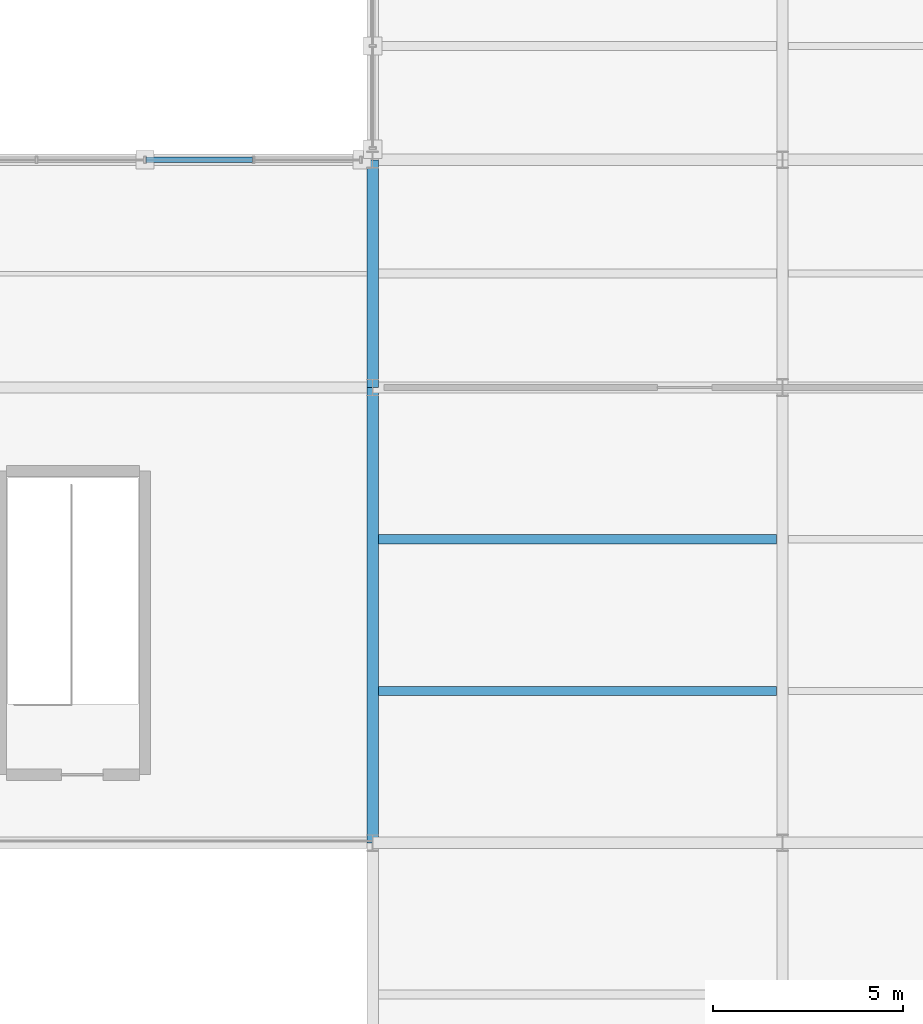
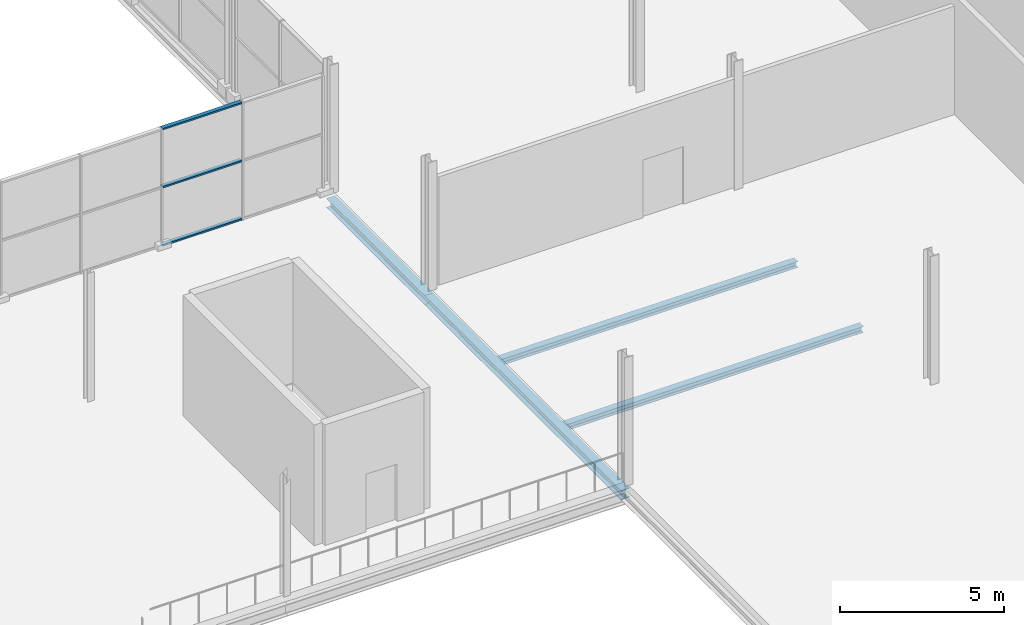
# One storey, part 110 of 159: 4 beams, 3 members, 1 element without a shape of its own.
"""IFC4 building model written with IfcOpenShell, lengths in metres."""

from ifc_helpers import new_model, si_unit, direction, frame, origin, origin_2d, place, context, subcontext, project, spatial, hollow_rectangle, i_section, extrude, material, material_profile, profile_set, type_object, element, aggregate, save


model = new_model("IFC4")

# Units and contexts
model_context = context("Model", 3, precision=1e-05, world=origin(), true_north=direction((0.0, 1.0)))
body_context = subcontext(model_context, "Body", "Model", "MODEL_VIEW")
ifc_project = project(units=[si_unit("LENGTHUNIT", "METRE"), si_unit("AREAUNIT", "SQUARE_METRE"), si_unit("VOLUMEUNIT", "CUBIC_METRE"), si_unit("PLANEANGLEUNIT", "RADIAN"), si_unit("MASSUNIT", "GRAM", prefix="KILO")], contexts=[model_context])

# Site, building, storey
site_placement = place(None, origin())
site = spatial("IfcSite", under=ifc_project, at=site_placement, CompositionType="ELEMENT")
building_placement = place(site_placement, origin())
building = spatial("IfcBuilding", under=site, at=building_placement, Name="Merenkruunu Market Hall", CompositionType="ELEMENT")
storey_placement = place(building_placement, frame((0.0, 0.0, 5.39990234375)))
storey = spatial("IfcBuildingStorey", under=building, at=storey_placement, Name="L01", CompositionType="ELEMENT", Elevation=5.39990234375)

# Curtain wall, members
ifc_material_1 = material(Name="Powder-coated aluminium", Category="aluminium")
curtain_wall_type = type_object("IfcCurtainWallType", Name="Glazed Curtain Wall CW05", PredefinedType="USERDEFINED", material=ifc_material_1)
curtain_wall_placement = place(storey_placement, origin())
curtain_wall = element("IfcCurtainWall", 1, at=curtain_wall_placement, inside=storey, type_object=curtain_wall_type, Name="CW-L01-CWM02-200", ObjectType="GLAZED_FACADE", PredefinedType="USERDEFINED")
ifc_material_profile_1 = material_profile(ifc_material_1, hollow_rectangle(XDim=0.06005859375, YDim=0.139892578125, WallThickness=0.00390625, at=origin_2d()), Name="ALU 60x140x4")
ifc_profile_set_1 = profile_set([ifc_material_profile_1], Name="Powder-coated aluminium")
member_type = type_object("IfcMemberType", Name="Curtain Wall Transom CWT02", PredefinedType="USERDEFINED", material=ifc_profile_set_1)
member_1_placement = place(storey_placement, frame((142.830078125, 45.60009765625, 0.030029296875), z_axis=(1.0, 0.0, 0.0), x_axis=(0.0, 0.0, 1.0)))
member_1 = element("IfcMember", 2, at=member_1_placement, type_object=member_type, Name="CW05 transom 3.1", ObjectType="TRANSOM", PredefinedType="USERDEFINED", context=body_context, shape_type="SweptSolid", body=[
    extrude(hollow_rectangle(XDim=0.06005859375, YDim=0.139892578125, WallThickness=0.00390625, at=origin_2d()), origin(), (0.0, 0.0, 1.0), 2.7998046875),
])
member_2_placement = place(storey_placement, frame((142.830078125, 45.60009765625, 2.2001953125), z_axis=(1.0, 0.0, 0.0), x_axis=(0.0, 0.0, 1.0)))
member_2 = element("IfcMember", 3, at=member_2_placement, type_object=member_type, Name="CW05 transom 3.2", ObjectType="TRANSOM", PredefinedType="USERDEFINED", context=body_context, shape_type="SweptSolid", body=[
    extrude(hollow_rectangle(XDim=0.06005859375, YDim=0.139892578125, WallThickness=0.00390625, at=origin_2d()), origin(), (0.0, 0.0, 1.0), 2.7998046875),
])
member_3_placement = place(storey_placement, frame((142.830078125, 45.60009765625, 4.3701171875), z_axis=(1.0, 0.0, 0.0), x_axis=(0.0, 0.0, 1.0)))
member_3 = element("IfcMember", 4, at=member_3_placement, type_object=member_type, Name="CW05 transom 3.3", ObjectType="TRANSOM", PredefinedType="USERDEFINED", context=body_context, shape_type="SweptSolid", body=[
    extrude(hollow_rectangle(XDim=0.06005859375, YDim=0.139892578125, WallThickness=0.00390625, at=origin_2d()), origin(), (0.0, 0.0, 1.0), 2.7998046875),
])
aggregate(curtain_wall, [member_1, member_2, member_3])

# Beams
ifc_material_2 = material(Name="Steel S355J2", Category="steel")
ifc_material_profile_2 = material_profile(ifc_material_2, i_section(OverallWidth=0.300048828125, OverallDepth=0.35009765625, WebThickness=0.010009765625, FlangeThickness=0.017578125, FilletRadius=0.027099609375, at=origin_2d()), Name="HEA 360")
ifc_profile_set_2 = profile_set([ifc_material_profile_2], Name="Steel S355J2")
beam_type_1 = type_object("IfcBeamType", Name="Primary Floor Girder B08", PredefinedType="BEAM", material=ifc_profile_set_2)
beam_1_placement = place(storey_placement, frame((148.800048828125, 27.60009765625, -0.454833984375), z_axis=(0.0, 1.0, 0.0), x_axis=(-1.0, 0.0, 0.0)))
element("IfcBeam", 5, at=beam_1_placement, inside=storey, type_object=beam_type_1, Name="BM-L01-B08-0618", PredefinedType="BEAM", context=body_context, shape_type="SweptSolid", body=[
    extrude(i_section(OverallWidth=0.300048828125, OverallDepth=0.35009765625, WebThickness=0.010009765625, FlangeThickness=0.017578125, FilletRadius=0.027099609375, at=origin_2d()), origin(), (0.0, 0.0, 1.0), 12.0),
])
beam_2_placement = place(storey_placement, frame((148.800048828125, 39.60009765625, -0.454833984375), z_axis=(0.0, 1.0, 0.0), x_axis=(-1.0, 0.0, 0.0)))
element("IfcBeam", 6, at=beam_2_placement, inside=storey, type_object=beam_type_1, Name="BM-L01-B08-0619", PredefinedType="BEAM", context=body_context, shape_type="SweptSolid", body=[
    extrude(i_section(OverallWidth=0.300048828125, OverallDepth=0.35009765625, WebThickness=0.010009765625, FlangeThickness=0.017578125, FilletRadius=0.027099609375, at=origin_2d()), origin(), (0.0, 0.0, 1.0), 6.0),
])
ifc_material_profile_3 = material_profile(ifc_material_2, i_section(OverallWidth=0.239990234375, OverallDepth=0.22998046875, WebThickness=0.007568359375, FlangeThickness=0.011962890625, FilletRadius=0.02099609375, at=origin_2d()), Name="HEA 240")
ifc_profile_set_3 = profile_set([ifc_material_profile_3], Name="Steel S355J2")
beam_type_2 = type_object("IfcBeamType", Name="Secondary Floor Joist J06", PredefinedType="JOIST", material=ifc_profile_set_3)
for number, where, z_axis, x_axis, name in (
    (7, (148.952880859375, 31.60009765625, -0.39501953125), (1.0, 0.0, 0.0), (0.0, 1.0, 0.0), "BM-L01-J06-0705"),
    (8, (148.952880859375, 35.60009765625, -0.39501953125), (1.0, 0.0, 0.0), (0.0, 1.0, 0.0), "BM-L01-J06-0706"),
):
    element("IfcBeam", number, at=place(storey_placement, frame(where, z_axis=z_axis, x_axis=x_axis)), inside=storey, type_object=beam_type_2, Name=name, PredefinedType="JOIST", context=body_context, shape_type="SweptSolid", body=[
        extrude(i_section(OverallWidth=0.239990234375, OverallDepth=0.22998046875, WebThickness=0.007568359375, FlangeThickness=0.011962890625, FilletRadius=0.02099609375, at=origin_2d()), origin(), (0.0, 0.0, 1.0), 10.494140625),
    ])

save(model, "model.ifc")
